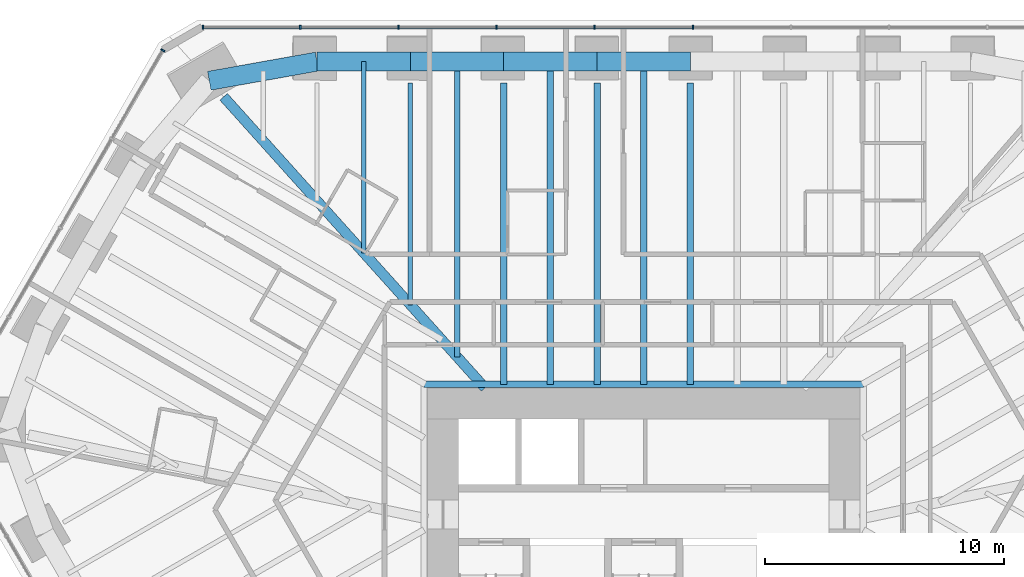
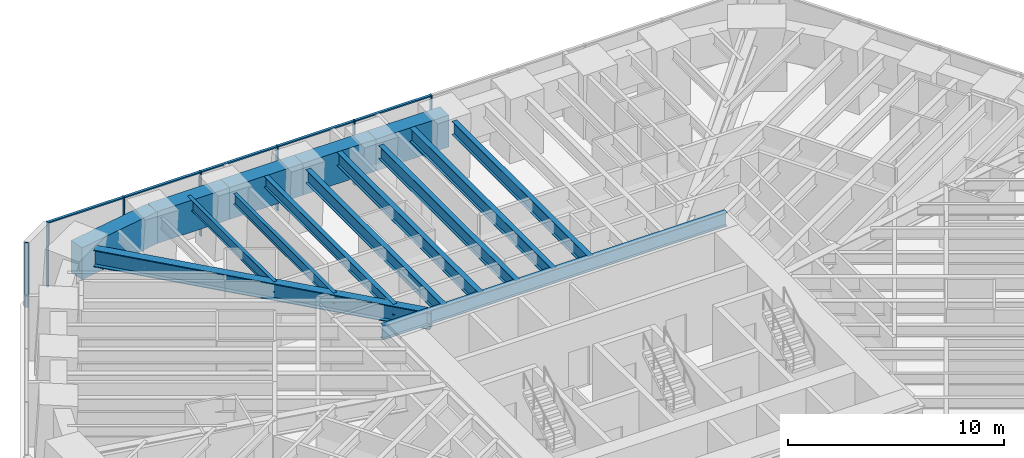
# One storey, part 8 of 17: 15 beams, 12 members, 2 elements without a shape of their own.
"""IFC4 building model written with IfcOpenShell, lengths in metres."""

from ifc_helpers import new_model, si_unit, direction, frame, origin, origin_2d, place, context, subcontext, project, spatial, rectangle, i_section, extrude, material, material_profile, profile_set, type_object, element, aggregate, save


model = new_model("IFC4")

# Units and contexts
model_context = context("Model", 3, precision=1e-05, world=origin(), true_north=direction((0.0, 1.0)))
body_context = subcontext(model_context, "Body", "Model", "MODEL_VIEW")
ifc_project = project(units=[si_unit("LENGTHUNIT", "METRE"), si_unit("AREAUNIT", "SQUARE_METRE"), si_unit("VOLUMEUNIT", "CUBIC_METRE"), si_unit("PLANEANGLEUNIT", "RADIAN"), si_unit("MASSUNIT", "GRAM", prefix="KILO")], contexts=[model_context])

# Site, building, storey
site_placement = place(None, origin())
site = spatial("IfcSite", under=ifc_project, at=site_placement, CompositionType="ELEMENT")
building_placement = place(site_placement, origin())
building = spatial("IfcBuilding", under=site, at=building_placement, Name="Sandreach Pilgrim Tower", CompositionType="ELEMENT")
storey_placement = place(building_placement, frame((0.0, 0.0, 150.0)))
storey = spatial("IfcBuildingStorey", under=building, at=storey_placement, Name="L37", CompositionType="ELEMENT", Elevation=150.0)

# Curtain wall, members
ifc_material_1 = material(Name="Aluminium framed curtain wall", Category="aluminium")
curtain_wall_type = type_object("IfcCurtainWallType", Name="Hotel tower curtain wall", PredefinedType="NOTDEFINED", material=ifc_material_1)
curtain_wall_1_placement = place(storey_placement, origin())
curtain_wall_1 = element("IfcCurtainWall", 1, at=curtain_wall_1_placement, inside=storey, type_object=curtain_wall_type, Name="CW-2 L37 N", PredefinedType="NOTDEFINED")
ifc_material_2 = material(Name="Aluminium extrusion", Category="aluminium")
ifc_material_profile_1 = material_profile(ifc_material_2, rectangle(XDim=0.06494140625, YDim=0.179931640625, at=origin_2d()), Name="CW-2M 65X180")
ifc_profile_set_1 = profile_set([ifc_material_profile_1], Name="Aluminium extrusion")
member_type_1 = type_object("IfcMemberType", Name="CW-2 mullion", PredefinedType="MULLION", material=ifc_profile_set_1)
member_1_placement = place(storey_placement, frame((-18.448974609375, 22.493896484375, 0.0), z_axis=(0.0, 0.0, 1.0), x_axis=(1.0, 0.0, 0.0)))
member_1 = element("IfcMember", 2, at=member_1_placement, type_object=member_type_1, Name="CW-2 mullion 1", PredefinedType="MULLION", context=body_context, shape_type="SweptSolid", body=[
    extrude(rectangle(XDim=0.06494140625, YDim=0.179931640625, at=origin_2d()), origin(), (0.0, 0.0, 1.0), 3.639892578125),
])
member_2_placement = place(storey_placement, frame((-14.37451171875, 22.493896484375, 0.0), z_axis=(0.0, 0.0, 1.0), x_axis=(1.0, 0.0, 0.0)))
member_2 = element("IfcMember", 3, at=member_2_placement, type_object=member_type_1, Name="CW-2 mullion 2", PredefinedType="MULLION", context=body_context, shape_type="SweptSolid", body=[
    extrude(rectangle(XDim=0.06494140625, YDim=0.179931640625, at=origin_2d()), origin(), (0.0, 0.0, 1.0), 3.639892578125),
])
member_3_placement = place(storey_placement, frame((-10.267333984375, 22.493896484375, 0.0), z_axis=(0.0, 0.0, 1.0), x_axis=(1.0, 0.0, 0.0)))
member_3 = element("IfcMember", 4, at=member_3_placement, type_object=member_type_1, Name="CW-2 mullion 3", PredefinedType="MULLION", context=body_context, shape_type="SweptSolid", body=[
    extrude(rectangle(XDim=0.06494140625, YDim=0.179931640625, at=origin_2d()), origin(), (0.0, 0.0, 1.0), 3.639892578125),
])
member_4_placement = place(storey_placement, frame((-6.160400390625, 22.493896484375, 0.0), z_axis=(0.0, 0.0, 1.0), x_axis=(1.0, 0.0, 0.0)))
member_4 = element("IfcMember", 5, at=member_4_placement, type_object=member_type_1, Name="CW-2 mullion 4", PredefinedType="MULLION", context=body_context, shape_type="SweptSolid", body=[
    extrude(rectangle(XDim=0.06494140625, YDim=0.179931640625, at=origin_2d()), origin(), (0.0, 0.0, 1.0), 3.639892578125),
])
member_5_placement = place(storey_placement, frame((-2.053466796875, 22.493896484375, 0.0), z_axis=(0.0, 0.0, 1.0), x_axis=(1.0, 0.0, 0.0)))
member_5 = element("IfcMember", 6, at=member_5_placement, type_object=member_type_1, Name="CW-2 mullion 5", PredefinedType="MULLION", context=body_context, shape_type="SweptSolid", body=[
    extrude(rectangle(XDim=0.06494140625, YDim=0.179931640625, at=origin_2d()), origin(), (0.0, 0.0, 1.0), 3.639892578125),
])
member_6_placement = place(storey_placement, frame((2.053466796875, 22.493896484375, 0.0), z_axis=(0.0, 0.0, 1.0), x_axis=(1.0, 0.0, 0.0)))
member_6 = element("IfcMember", 7, at=member_6_placement, type_object=member_type_1, Name="CW-2 mullion 6", PredefinedType="MULLION", context=body_context, shape_type="SweptSolid", body=[
    extrude(rectangle(XDim=0.06494140625, YDim=0.179931640625, at=origin_2d()), origin(), (0.0, 0.0, 1.0), 3.639892578125),
])

# Curtain wall, member
curtain_wall_2_placement = place(storey_placement, origin())
curtain_wall_2 = element("IfcCurtainWall", 8, at=curtain_wall_2_placement, inside=storey, type_object=curtain_wall_type, Name="CW-2 L37 NW", PredefinedType="NOTDEFINED")
member_7_placement = place(storey_placement, frame((-20.125732421875, 21.525634765625, 0.0), z_axis=(0.0, 0.0, 1.0), x_axis=(0.5, 0.866025403784, 0.0)))
member_7 = element("IfcMember", 9, at=member_7_placement, type_object=member_type_1, Name="CW-2 mullion 5", PredefinedType="MULLION", context=body_context, shape_type="SweptSolid", body=[
    extrude(rectangle(XDim=0.06494140625, YDim=0.179931640625, at=origin_2d()), origin(), (0.0, 0.0, 1.0), 3.639892578125),
])
aggregate(curtain_wall_2, [member_7])

# Member
ifc_material_3 = material(Name="Aluminium extrusion", Category="aluminium")
ifc_material_profile_2 = material_profile(ifc_material_3, rectangle(XDim=0.139892578125, YDim=0.070068359375, at=origin_2d()), Name="CW-2T 140X70")
ifc_profile_set_2 = profile_set([ifc_material_profile_2], Name="Aluminium extrusion")
member_type_2 = type_object("IfcMemberType", Name="CW-2 transom", PredefinedType="USERDEFINED", material=ifc_profile_set_2)
member_8_placement = place(storey_placement, frame((-18.416259765625, 22.493896484375, 3.60498046875), z_axis=(1.0, 0.0, 0.0), x_axis=(0.0, 1.0, 0.0)))
member_8 = element("IfcMember", 10, at=member_8_placement, type_object=member_type_2, Name="CW-2 head transom 1", ObjectType="TRANSOM", PredefinedType="USERDEFINED", context=body_context, shape_type="SweptSolid", body=[
    extrude(rectangle(XDim=0.139892578125, YDim=0.070068359375, at=origin_2d()), origin(), (0.0, 0.0, 1.0), 4.00927734375),
])

member_9_placement = place(storey_placement, frame((-14.341796875, 22.493896484375, 3.60498046875), z_axis=(1.0, 0.0, 0.0), x_axis=(0.0, 1.0, 0.0)))
member_9 = element("IfcMember", 11, at=member_9_placement, type_object=member_type_2, Name="CW-2 head transom 2", ObjectType="TRANSOM", PredefinedType="USERDEFINED", context=body_context, shape_type="SweptSolid", body=[
    extrude(rectangle(XDim=0.139892578125, YDim=0.070068359375, at=origin_2d()), origin(), (0.0, 0.0, 1.0), 4.041748046875),
])

member_10_placement = place(storey_placement, frame((-10.23486328125, 22.493896484375, 3.60498046875), z_axis=(1.0, 0.0, 0.0), x_axis=(0.0, 1.0, 0.0)))
member_10 = element("IfcMember", 12, at=member_10_placement, type_object=member_type_2, Name="CW-2 head transom 3", ObjectType="TRANSOM", PredefinedType="USERDEFINED", context=body_context, shape_type="SweptSolid", body=[
    extrude(rectangle(XDim=0.139892578125, YDim=0.070068359375, at=origin_2d()), origin(), (0.0, 0.0, 1.0), 4.0419921875),
])

member_11_placement = place(storey_placement, frame((-6.1279296875, 22.493896484375, 3.60498046875), z_axis=(1.0, 0.0, 0.0), x_axis=(0.0, 1.0, 0.0)))
member_11 = element("IfcMember", 13, at=member_11_placement, type_object=member_type_2, Name="CW-2 head transom 4", ObjectType="TRANSOM", PredefinedType="USERDEFINED", context=body_context, shape_type="SweptSolid", body=[
    extrude(rectangle(XDim=0.139892578125, YDim=0.070068359375, at=origin_2d()), origin(), (0.0, 0.0, 1.0), 4.0419921875),
])

member_12_placement = place(storey_placement, frame((-2.02099609375, 22.493896484375, 3.60498046875), z_axis=(1.0, 0.0, 0.0), x_axis=(0.0, 1.0, 0.0)))
member_12 = element("IfcMember", 14, at=member_12_placement, type_object=member_type_2, Name="CW-2 head transom 5", ObjectType="TRANSOM", PredefinedType="USERDEFINED", context=body_context, shape_type="SweptSolid", body=[
    extrude(rectangle(XDim=0.139892578125, YDim=0.070068359375, at=origin_2d()), origin(), (0.0, 0.0, 1.0), 4.0419921875),
])

aggregate(curtain_wall_1, [member_1, member_2, member_3, member_4, member_5, member_6, member_8, member_9, member_10, member_11, member_12])

# Beams
ifc_material_4 = material(Name="Steel ASTM A992 Grade 50", Category="steel")
ifc_material_profile_3 = material_profile(ifc_material_4, i_section(OverallWidth=0.2666015625, OverallDepth=0.77978515625, WebThickness=0.0166015625, FlangeThickness=0.030029296875, at=origin_2d()), Name="W30X148")
ifc_profile_set_3 = profile_set([ifc_material_profile_3], Name="Steel ASTM A992 Grade 50")
beam_type_1 = type_object("IfcBeamType", Name="Core edge beam W30X148", PredefinedType="BEAM", material=ifc_profile_set_3)
beam_1_placement = place(storey_placement, frame((-9.193359375, 7.54345703125, 3.25), z_axis=(1.0, 0.0, 0.0), x_axis=(0.0, 1.0, 0.0)))
element("IfcBeam", 15, at=beam_1_placement, inside=storey, type_object=beam_type_1, Name="BM L37 CEN", PredefinedType="BEAM", context=body_context, shape_type="SweptSolid", body=[
    extrude(i_section(OverallWidth=0.2666015625, OverallDepth=0.77978515625, WebThickness=0.0166015625, FlangeThickness=0.030029296875, at=origin_2d()), origin(), (0.0, 0.0, 1.0), 18.38671875),
])
ifc_material_5 = material(Name="Steel ASTM A992 Grade 50", Category="steel")
ifc_material_profile_4 = material_profile(ifc_material_5, i_section(OverallWidth=0.421630859375, OverallDepth=0.95751953125, WebThickness=0.02587890625, FlangeThickness=0.046875, at=origin_2d()), Name="W36X330")
ifc_profile_set_4 = profile_set([ifc_material_profile_4], Name="Steel ASTM A992 Grade 50")
beam_type_2 = type_object("IfcBeamType", Name="Corner girder W36X330", PredefinedType="BEAM", material=ifc_profile_set_4)
beam_2_placement = place(storey_placement, frame((-17.58154296875, 19.579833984375, 3.1611328125), z_axis=(0.668114757833, -0.744058243934, 0.0), x_axis=(0.744058243934, 0.668114757833, 0.0)))
element("IfcBeam", 16, at=beam_2_placement, inside=storey, type_object=beam_type_2, Name="BM L37 CG39", PredefinedType="BEAM", context=body_context, shape_type="SweptSolid", body=[
    extrude(i_section(OverallWidth=0.421630859375, OverallDepth=0.95751953125, WebThickness=0.02587890625, FlangeThickness=0.046875, at=origin_2d()), origin(), (0.0, 0.0, 1.0), 16.36962890625),
])
ifc_material_6 = material(Name="Steel ASTM A992 Grade 50", Category="steel")
ifc_material_profile_5 = material_profile(ifc_material_6, i_section(OverallWidth=0.1787109375, OverallDepth=0.60205078125, WebThickness=0.010986328125, FlangeThickness=0.014892578125, at=origin_2d()), Name="W24X62")
ifc_profile_set_5 = profile_set([ifc_material_profile_5], Name="Steel ASTM A992 Grade 50")
beam_type_3 = type_object("IfcBeamType", Name="Floor beam W24X62", PredefinedType="BEAM", material=ifc_profile_set_5)
beam_3_placement = place(storey_placement, frame((-9.7666015625, 20.154052734375, 3.339111328125), z_axis=(0.0, -1.0, 0.0), x_axis=(1.0, 0.0, 0.0)))
element("IfcBeam", 17, at=beam_3_placement, inside=storey, type_object=beam_type_3, Name="BM L37 F02", PredefinedType="BEAM", context=body_context, shape_type="SweptSolid", body=[
    extrude(i_section(OverallWidth=0.1787109375, OverallDepth=0.60205078125, WebThickness=0.010986328125, FlangeThickness=0.014892578125, at=origin_2d()), origin(), (0.0, 0.0, 1.0), 9.27734375),
])
beam_4_placement = place(storey_placement, frame((-11.7197265625, 21.053955078125, 3.339111328125), z_axis=(0.0, -1.0, 0.0), x_axis=(1.0, 0.0, 0.0)))
element("IfcBeam", 18, at=beam_4_placement, inside=storey, type_object=beam_type_3, Name="BM L37 FM01", PredefinedType="BEAM", context=body_context, shape_type="SweptSolid", body=[
    extrude(i_section(OverallWidth=0.1787109375, OverallDepth=0.60205078125, WebThickness=0.010986328125, FlangeThickness=0.014892578125, at=origin_2d()), origin(), (0.0, 0.0, 1.0), 8.001953125),
])
ifc_material_7 = material(Name="Steel ASTM A992 Grade 50", Category="steel")
ifc_material_profile_6 = material_profile(ifc_material_7, i_section(OverallWidth=0.23046875, OverallDepth=0.6171875, WebThickness=0.01318359375, FlangeThickness=0.022216796875, at=origin_2d()), Name="W24X94")
ifc_profile_set_6 = profile_set([ifc_material_profile_6], Name="Steel ASTM A992 Grade 50")
beam_type_4 = type_object("IfcBeamType", Name="Floor beam W24X94", PredefinedType="BEAM", material=ifc_profile_set_6)
beam_5_placement = place(storey_placement, frame((-7.813232421875, 21.053955078125, 3.331298828125), z_axis=(0.0, -1.0, 0.0), x_axis=(1.0, 0.0, 0.0)))
element("IfcBeam", 19, at=beam_5_placement, inside=storey, type_object=beam_type_4, Name="BM L37 FM02", PredefinedType="BEAM", context=body_context, shape_type="SweptSolid", body=[
    extrude(i_section(OverallWidth=0.23046875, OverallDepth=0.6171875, WebThickness=0.01318359375, FlangeThickness=0.022216796875, at=origin_2d()), origin(), (0.0, 0.0, 1.0), 12.352783203125),
])
ifc_material_8 = material(Name="Steel ASTM A992 Grade 50", Category="steel")
ifc_material_profile_7 = material_profile(ifc_material_8, i_section(OverallWidth=0.2666015625, OverallDepth=0.761962890625, WebThickness=0.014404296875, FlangeThickness=0.021484375, at=origin_2d()), Name="W30X116")
ifc_profile_set_7 = profile_set([ifc_material_profile_7], Name="Steel ASTM A992 Grade 50")
beam_type_5 = type_object("IfcBeamType", Name="Floor beam W30X116", PredefinedType="BEAM", material=ifc_profile_set_7)
for number, where, z_axis, x_axis, name in (
    (20, (-5.85986328125, 20.154052734375, 3.259033203125), (0.0, -1.0, 0.0), (1.0, 0.0, 0.0), "BM L37 F03"),
    (21, (-1.953369140625, 20.154052734375, 3.259033203125), (0.0, -1.0, 0.0), (1.0, 0.0, 0.0), "BM L37 F04"),
    (22, (1.953369140625, 20.154052734375, 3.259033203125), (0.0, -1.0, 0.0), (1.0, 0.0, 0.0), "BM L37 F05"),
):
    element("IfcBeam", number, at=place(storey_placement, frame(where, z_axis=z_axis, x_axis=x_axis)), inside=storey, type_object=beam_type_5, Name=name, PredefinedType="BEAM", context=body_context, shape_type="SweptSolid", body=[
        extrude(i_section(OverallWidth=0.2666015625, OverallDepth=0.761962890625, WebThickness=0.014404296875, FlangeThickness=0.021484375, at=origin_2d()), origin(), (0.0, 0.0, 1.0), 12.610595703125),
    ])
for number, where, z_axis, x_axis, name in (
    (23, (-3.906494140625, 21.053955078125, 3.259033203125), (0.0, -1.0, 0.0), (1.0, 0.0, 0.0), "BM L37 FM03"),
    (24, (0.0, 21.053955078125, 3.259033203125), (0.0, -1.0, 0.0), (1.0, 0.0, 0.0), "BM L37 FM04"),
):
    element("IfcBeam", number, at=place(storey_placement, frame(where, z_axis=z_axis, x_axis=x_axis)), inside=storey, type_object=beam_type_5, Name=name, PredefinedType="BEAM", context=body_context, shape_type="SweptSolid", body=[
        extrude(i_section(OverallWidth=0.2666015625, OverallDepth=0.761962890625, WebThickness=0.014404296875, FlangeThickness=0.021484375, at=origin_2d()), origin(), (0.0, 0.0, 1.0), 13.510498046875),
    ])
ifc_material_9 = material(Name="Concrete 10000 psi", Category="concrete")
ifc_material_profile_8 = material_profile(ifc_material_9, rectangle(XDim=0.800048828125, YDim=1.800048828125, at=origin_2d()), Name="RC800X1800")
ifc_profile_set_8 = profile_set([ifc_material_profile_8], Name="Concrete 10000 psi")
beam_type_6 = type_object("IfcBeamType", Name="Spandrel beam RC800X1800", PredefinedType="SPANDREL", material=ifc_profile_set_8)
beam_6_placement = place(storey_placement, frame((-13.673095703125, 21.053955078125, 2.739990234375), z_axis=(1.0, 0.0, 0.0), x_axis=(0.0, 1.0, 0.0)))
element("IfcBeam", 25, at=beam_6_placement, inside=storey, type_object=beam_type_6, Name="BM L37 SP01", PredefinedType="SPANDREL", context=body_context, shape_type="SweptSolid", body=[
    extrude(rectangle(XDim=0.800048828125, YDim=1.800048828125, at=origin_2d()), origin(), (0.0, 0.0, 1.0), 3.906494140625),
])
beam_7_placement = place(storey_placement, frame((-9.7666015625, 21.053955078125, 2.739990234375), z_axis=(1.0, 0.0, 0.0), x_axis=(0.0, 1.0, 0.0)))
element("IfcBeam", 26, at=beam_7_placement, inside=storey, type_object=beam_type_6, Name="BM L37 SP02", PredefinedType="SPANDREL", context=body_context, shape_type="SweptSolid", body=[
    extrude(rectangle(XDim=0.800048828125, YDim=1.800048828125, at=origin_2d()), origin(), (0.0, 0.0, 1.0), 3.90673828125),
])
beam_8_placement = place(storey_placement, frame((-5.85986328125, 21.053955078125, 2.739990234375), z_axis=(1.0, 0.0, 0.0), x_axis=(0.0, 1.0, 0.0)))
element("IfcBeam", 27, at=beam_8_placement, inside=storey, type_object=beam_type_6, Name="BM L37 SP03", PredefinedType="SPANDREL", context=body_context, shape_type="SweptSolid", body=[
    extrude(rectangle(XDim=0.800048828125, YDim=1.800048828125, at=origin_2d()), origin(), (0.0, 0.0, 1.0), 3.906494140625),
])
beam_9_placement = place(storey_placement, frame((-1.953369140625, 21.053955078125, 2.739990234375), z_axis=(1.0, 0.0, 0.0), x_axis=(0.0, 1.0, 0.0)))
element("IfcBeam", 28, at=beam_9_placement, inside=storey, type_object=beam_type_6, Name="BM L37 SP04", PredefinedType="SPANDREL", context=body_context, shape_type="SweptSolid", body=[
    extrude(rectangle(XDim=0.800048828125, YDim=1.800048828125, at=origin_2d()), origin(), (0.0, 0.0, 1.0), 3.90673828125),
])
beam_10_placement = place(storey_placement, frame((-18.182861328125, 20.24951171875, 2.739990234375), z_axis=(0.984460496882, 0.175606178932, 0.0), x_axis=(-0.175606178932, 0.984460496882, 0.0)))
element("IfcBeam", 29, at=beam_10_placement, inside=storey, type_object=beam_type_6, Name="BM L37 SP39", PredefinedType="SPANDREL", context=body_context, shape_type="SweptSolid", body=[
    extrude(rectangle(XDim=0.800048828125, YDim=1.800048828125, at=origin_2d()), origin(), (0.0, 0.0, 1.0), 4.5810546875),
])

save(model, "model.ifc")
